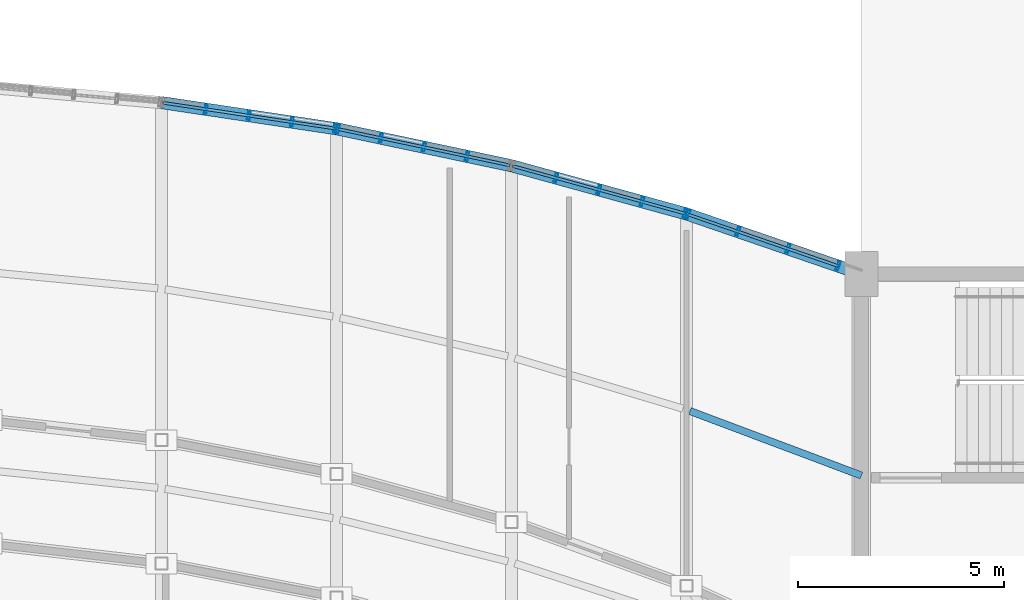
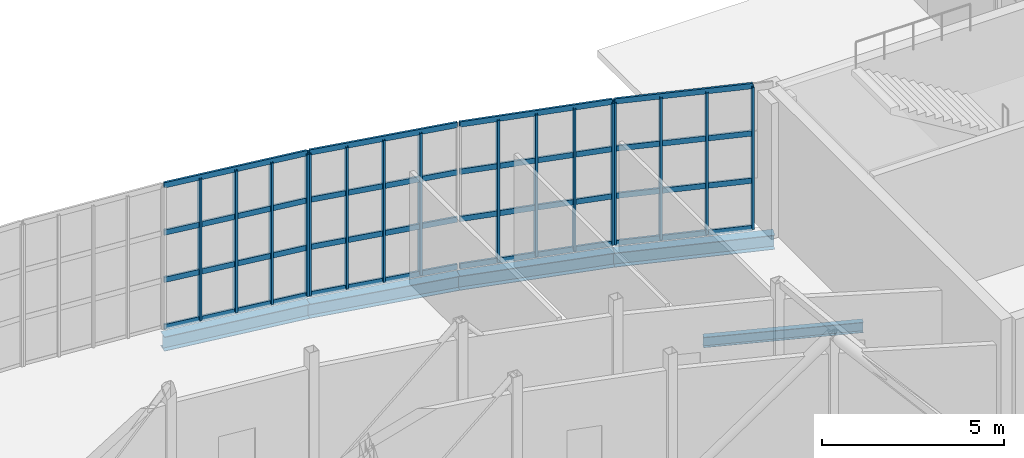
# One storey, part 47 of 86: 32 members, 5 beams, 4 elements without a shape of their own.
"""IFC4 building model written with IfcOpenShell, lengths in metres."""

from ifc_helpers import new_model, si_unit, direction, frame, origin, origin_2d, place, context, subcontext, project, spatial, hollow_rectangle, i_section, extrude, material, material_profile, profile_set, type_object, element, aggregate, save


model = new_model("IFC4")

# Units and contexts
model_context = context("Model", 3, precision=1e-05, world=origin(), true_north=direction((0.0, 1.0)))
body_context = subcontext(model_context, "Body", "Model", "MODEL_VIEW")
ifc_project = project(units=[si_unit("LENGTHUNIT", "METRE"), si_unit("AREAUNIT", "SQUARE_METRE"), si_unit("VOLUMEUNIT", "CUBIC_METRE"), si_unit("PLANEANGLEUNIT", "RADIAN"), si_unit("MASSUNIT", "GRAM", prefix="KILO")], contexts=[model_context])

# Site, building, storey
site_placement = place(None, origin())
site = spatial("IfcSite", under=ifc_project, at=site_placement, CompositionType="ELEMENT")
building_placement = place(site_placement, origin())
building = spatial("IfcBuilding", under=site, at=building_placement, Name="Solvikara Media Centre", CompositionType="ELEMENT")
storey_placement = place(building_placement, frame((0.0, 0.0, 15.0)))
storey = spatial("IfcBuildingStorey", under=building, at=storey_placement, Name="L03", CompositionType="ELEMENT", Elevation=15.0)

# Beams
ifc_material_1 = material(Name="Steel S355JR", Category="steel")
ifc_material_profile_1 = material_profile(ifc_material_1, i_section(OverallWidth=0.175048828125, OverallDepth=0.35009765625, WebThickness=0.007080078125, FlangeThickness=0.010986328125, at=origin_2d()), Name="WF 350x175x7x11")
ifc_profile_set_1 = profile_set([ifc_material_profile_1], Name="Steel S355JR")
beam_type_1 = type_object("IfcBeamType", Name="BM-22", PredefinedType="JOIST", material=ifc_profile_set_1)
beam_1_placement = place(storey_placement, frame((123.333984375, 33.472900390625, -0.39697265625), z_axis=(0.936058378207, -0.351844727955, 0.0), x_axis=(0.351844727955, 0.936058378207, 0.0)))
element("IfcBeam", 1, at=beam_1_placement, inside=storey, type_object=beam_type_1, Name="BJ-L03-11-72", PredefinedType="JOIST", context=body_context, shape_type="SweptSolid", body=[
    extrude(i_section(OverallWidth=0.175048828125, OverallDepth=0.35009765625, WebThickness=0.007080078125, FlangeThickness=0.010986328125, at=origin_2d()), origin(), (0.0, 0.0, 1.0), 4.45068359375),
])
ifc_material_profile_2 = material_profile(ifc_material_1, i_section(OverallWidth=0.300048828125, OverallDepth=0.48193359375, WebThickness=0.010986328125, FlangeThickness=0.014892578125, at=origin_2d()), Name="WF 482x300x11x15")
ifc_profile_set_2 = profile_set([ifc_material_profile_2], Name="Steel S355JR")
beam_type_2 = type_object("IfcBeamType", Name="BM-32", PredefinedType="SPANDREL", material=ifc_profile_set_2)
beam_2_placement = place(storey_placement, frame((110.5, 40.964111328125, -0.462890625), z_axis=(0.989021203369, -0.147773675894, 0.0), x_axis=(0.147773675894, 0.989021203369, 0.0)))
element("IfcBeam", 2, at=beam_2_placement, inside=storey, type_object=beam_type_2, Name="B-L03-NARC-08", PredefinedType="SPANDREL", context=body_context, shape_type="SweptSolid", body=[
    extrude(i_section(OverallWidth=0.300048828125, OverallDepth=0.48193359375, WebThickness=0.010986328125, FlangeThickness=0.014892578125, at=origin_2d()), origin(), (0.0, 0.0, 1.0), 4.297119140625),
])
beam_3_placement = place(storey_placement, frame((114.75, 40.3291015625, -0.462890625), z_axis=(0.978389077526, -0.206772369957, 0.0), x_axis=(0.206772369957, 0.978389077526, 0.0)))
element("IfcBeam", 3, at=beam_3_placement, inside=storey, type_object=beam_type_2, Name="B-L03-NARC-09", PredefinedType="SPANDREL", context=body_context, shape_type="SweptSolid", body=[
    extrude(i_section(OverallWidth=0.300048828125, OverallDepth=0.48193359375, WebThickness=0.010986328125, FlangeThickness=0.014892578125, at=origin_2d()), origin(), (0.0, 0.0, 1.0), 4.343994140625),
])
beam_4_placement = place(storey_placement, frame((119.0, 39.430908203125, -0.462890625), z_axis=(0.964080686077, -0.265609545636, 0.0), x_axis=(0.265609545636, 0.964080686077, 0.0)))
element("IfcBeam", 4, at=beam_4_placement, inside=storey, type_object=beam_type_2, Name="B-L03-NARC-10", PredefinedType="SPANDREL", context=body_context, shape_type="SweptSolid", body=[
    extrude(i_section(OverallWidth=0.300048828125, OverallDepth=0.48193359375, WebThickness=0.010986328125, FlangeThickness=0.014892578125, at=origin_2d()), origin(), (0.0, 0.0, 1.0), 4.408447265625),
])
beam_5_placement = place(storey_placement, frame((123.25, 38.260009765625, -0.462890625), z_axis=(0.945753386984, -0.324885412119, 0.0), x_axis=(0.324885412119, 0.945753386984, 0.0)))
element("IfcBeam", 5, at=beam_5_placement, inside=storey, type_object=beam_type_2, Name="B-L03-NARC-11", PredefinedType="SPANDREL", context=body_context, shape_type="SweptSolid", body=[
    extrude(i_section(OverallWidth=0.300048828125, OverallDepth=0.48193359375, WebThickness=0.010986328125, FlangeThickness=0.014892578125, at=origin_2d()), origin(), (0.0, 0.0, 1.0), 4.49365234375),
])

# Curtain wall, members
ifc_material_2 = material(Name="Anodised aluminium EN AW-6063", Category="aluminium")
curtain_wall_type = type_object("IfcCurtainWallType", Name="CW-02", PredefinedType="NOTDEFINED", material=ifc_material_2)
curtain_wall_1_placement = place(storey_placement, origin())
curtain_wall_1 = element("IfcCurtainWall", 6, at=curtain_wall_1_placement, inside=storey, type_object=curtain_wall_type, Name="CW-L03-NARC-08", PredefinedType="NOTDEFINED")
ifc_material_profile_3 = material_profile(ifc_material_2, hollow_rectangle(XDim=0.06494140625, YDim=0.219970703125, WallThickness=0.00390625, at=origin_2d()), Name="ALU-M 65x220x4")
ifc_profile_set_3 = profile_set([ifc_material_profile_3], Name="Anodised aluminium EN AW-6063")
member_type_1 = type_object("IfcMemberType", Name="MF-01", PredefinedType="MULLION", material=ifc_profile_set_3)
member_1_placement = place(storey_placement, frame((111.580078125, 40.802978515625, 0.02001953125), z_axis=(0.0, 0.0, 1.0), x_axis=(0.989005541908, -0.147878457102, 0.0)))
member_1 = element("IfcMember", 7, at=member_1_placement, type_object=member_type_1, Name="CW-L03-NARC-08-M01", PredefinedType="MULLION", context=body_context, shape_type="SweptSolid", body=[
    extrude(hollow_rectangle(XDim=0.06494140625, YDim=0.219970703125, WallThickness=0.00390625, at=origin_2d()), origin(), (0.0, 0.0, 1.0), 4.760009765625),
])
member_2_placement = place(storey_placement, frame((112.625, 40.64697265625, 0.02001953125), z_axis=(0.0, 0.0, 1.0), x_axis=(0.989005541908, -0.147878457102, 0.0)))
member_2 = element("IfcMember", 8, at=member_2_placement, type_object=member_type_1, Name="CW-L03-NARC-08-M02", PredefinedType="MULLION", context=body_context, shape_type="SweptSolid", body=[
    extrude(hollow_rectangle(XDim=0.06494140625, YDim=0.219970703125, WallThickness=0.00390625, at=origin_2d()), origin(), (0.0, 0.0, 1.0), 4.760009765625),
])
member_3_placement = place(storey_placement, frame((113.669921875, 40.489990234375, 0.02001953125), z_axis=(0.0, 0.0, 1.0), x_axis=(0.989005541908, -0.147878457102, 0.0)))
member_3 = element("IfcMember", 9, at=member_3_placement, type_object=member_type_1, Name="CW-L03-NARC-08-M03", PredefinedType="MULLION", context=body_context, shape_type="SweptSolid", body=[
    extrude(hollow_rectangle(XDim=0.06494140625, YDim=0.219970703125, WallThickness=0.00390625, at=origin_2d()), origin(), (0.0, 0.0, 1.0), 4.760009765625),
])
member_4_placement = place(storey_placement, frame((114.715087890625, 40.333984375, 0.02001953125), z_axis=(0.0, 0.0, 1.0), x_axis=(0.989005541908, -0.147878457102, 0.0)))
member_4 = element("IfcMember", 10, at=member_4_placement, type_object=member_type_1, Name="CW-L03-NARC-08-M04", PredefinedType="MULLION", context=body_context, shape_type="SweptSolid", body=[
    extrude(hollow_rectangle(XDim=0.06494140625, YDim=0.219970703125, WallThickness=0.00390625, at=origin_2d()), origin(), (0.0, 0.0, 1.0), 4.760009765625),
])

curtain_wall_2_placement = place(storey_placement, origin())
curtain_wall_2 = element("IfcCurtainWall", 11, at=curtain_wall_2_placement, inside=storey, type_object=curtain_wall_type, Name="CW-L03-NARC-09", PredefinedType="NOTDEFINED")
member_5_placement = place(storey_placement, frame((114.783935546875, 40.322021484375, 0.02001953125), z_axis=(0.0, 0.0, 1.0), x_axis=(0.97837923005, -0.206818959981, 0.0)))
member_5 = element("IfcMember", 12, at=member_5_placement, type_object=member_type_1, Name="CW-L03-NARC-09-M00", PredefinedType="MULLION", context=body_context, shape_type="SweptSolid", body=[
    extrude(hollow_rectangle(XDim=0.06494140625, YDim=0.219970703125, WallThickness=0.00390625, at=origin_2d()), origin(), (0.0, 0.0, 1.0), 4.760009765625),
])
member_6_placement = place(storey_placement, frame((115.830078125, 40.10107421875, 0.02001953125), z_axis=(0.0, 0.0, 1.0), x_axis=(0.97837923005, -0.206818959981, 0.0)))
member_6 = element("IfcMember", 13, at=member_6_placement, type_object=member_type_1, Name="CW-L03-NARC-09-M01", PredefinedType="MULLION", context=body_context, shape_type="SweptSolid", body=[
    extrude(hollow_rectangle(XDim=0.06494140625, YDim=0.219970703125, WallThickness=0.00390625, at=origin_2d()), origin(), (0.0, 0.0, 1.0), 4.760009765625),
])
member_7_placement = place(storey_placement, frame((116.875, 39.8798828125, 0.02001953125), z_axis=(0.0, 0.0, 1.0), x_axis=(0.97837923005, -0.206818959981, 0.0)))
member_7 = element("IfcMember", 14, at=member_7_placement, type_object=member_type_1, Name="CW-L03-NARC-09-M02", PredefinedType="MULLION", context=body_context, shape_type="SweptSolid", body=[
    extrude(hollow_rectangle(XDim=0.06494140625, YDim=0.219970703125, WallThickness=0.00390625, at=origin_2d()), origin(), (0.0, 0.0, 1.0), 4.760009765625),
])
member_8_placement = place(storey_placement, frame((117.9208984375, 39.658935546875, 0.02001953125), z_axis=(0.0, 0.0, 1.0), x_axis=(0.97837923005, -0.206818959981, 0.0)))
member_8 = element("IfcMember", 15, at=member_8_placement, type_object=member_type_1, Name="CW-L03-NARC-09-M03", PredefinedType="MULLION", context=body_context, shape_type="SweptSolid", body=[
    extrude(hollow_rectangle(XDim=0.06494140625, YDim=0.219970703125, WallThickness=0.00390625, at=origin_2d()), origin(), (0.0, 0.0, 1.0), 4.760009765625),
])

curtain_wall_3_placement = place(storey_placement, origin())
curtain_wall_3 = element("IfcCurtainWall", 16, at=curtain_wall_3_placement, inside=storey, type_object=curtain_wall_type, Name="CW-L03-NARC-10", PredefinedType="NOTDEFINED")
member_9_placement = place(storey_placement, frame((120.080078125, 39.134033203125, 0.02001953125), z_axis=(0.0, 0.0, 1.0), x_axis=(0.964030487854, -0.265791682504, 0.0)))
member_9 = element("IfcMember", 17, at=member_9_placement, type_object=member_type_1, Name="CW-L03-NARC-10-M01", PredefinedType="MULLION", context=body_context, shape_type="SweptSolid", body=[
    extrude(hollow_rectangle(XDim=0.06494140625, YDim=0.219970703125, WallThickness=0.00390625, at=origin_2d()), origin(), (0.0, 0.0, 1.0), 4.760009765625),
])
member_10_placement = place(storey_placement, frame((121.125, 38.845947265625, 0.02001953125), z_axis=(0.0, 0.0, 1.0), x_axis=(0.964030487854, -0.265791682504, 0.0)))
member_10 = element("IfcMember", 18, at=member_10_placement, type_object=member_type_1, Name="CW-L03-NARC-10-M02", PredefinedType="MULLION", context=body_context, shape_type="SweptSolid", body=[
    extrude(hollow_rectangle(XDim=0.06494140625, YDim=0.219970703125, WallThickness=0.00390625, at=origin_2d()), origin(), (0.0, 0.0, 1.0), 4.760009765625),
])
member_11_placement = place(storey_placement, frame((122.1708984375, 38.556884765625, 0.02001953125), z_axis=(0.0, 0.0, 1.0), x_axis=(0.964030487854, -0.265791682504, 0.0)))
member_11 = element("IfcMember", 19, at=member_11_placement, type_object=member_type_1, Name="CW-L03-NARC-10-M03", PredefinedType="MULLION", context=body_context, shape_type="SweptSolid", body=[
    extrude(hollow_rectangle(XDim=0.06494140625, YDim=0.219970703125, WallThickness=0.00390625, at=origin_2d()), origin(), (0.0, 0.0, 1.0), 4.760009765625),
])
member_12_placement = place(storey_placement, frame((123.216064453125, 38.26904296875, 0.02001953125), z_axis=(0.0, 0.0, 1.0), x_axis=(0.964030487854, -0.265791682504, 0.0)))
member_12 = element("IfcMember", 20, at=member_12_placement, type_object=member_type_1, Name="CW-L03-NARC-10-M04", PredefinedType="MULLION", context=body_context, shape_type="SweptSolid", body=[
    extrude(hollow_rectangle(XDim=0.06494140625, YDim=0.219970703125, WallThickness=0.00390625, at=origin_2d()), origin(), (0.0, 0.0, 1.0), 4.760009765625),
])

curtain_wall_4_placement = place(storey_placement, origin())
curtain_wall_4 = element("IfcCurtainWall", 21, at=curtain_wall_4_placement, inside=storey, type_object=curtain_wall_type, Name="CW-L03-NARC-11", PredefinedType="NOTDEFINED")
member_13_placement = place(storey_placement, frame((123.282958984375, 38.2490234375, 0.02001953125), z_axis=(0.0, 0.0, 1.0), x_axis=(0.945717277442, -0.324990509319, 0.0)))
member_13 = element("IfcMember", 22, at=member_13_placement, type_object=member_type_1, Name="CW-L03-NARC-11-M00", PredefinedType="MULLION", context=body_context, shape_type="SweptSolid", body=[
    extrude(hollow_rectangle(XDim=0.06494140625, YDim=0.219970703125, WallThickness=0.00390625, at=origin_2d()), origin(), (0.0, 0.0, 1.0), 4.760009765625),
])
member_14_placement = place(storey_placement, frame((124.5, 37.8310546875, 0.02001953125), z_axis=(0.0, 0.0, 1.0), x_axis=(0.945717277442, -0.324990509319, 0.0)))
member_14 = element("IfcMember", 23, at=member_14_placement, type_object=member_type_1, Name="CW-L03-NARC-11-M01", PredefinedType="MULLION", context=body_context, shape_type="SweptSolid", body=[
    extrude(hollow_rectangle(XDim=0.06494140625, YDim=0.219970703125, WallThickness=0.00390625, at=origin_2d()), origin(), (0.0, 0.0, 1.0), 4.760009765625),
])
member_15_placement = place(storey_placement, frame((125.717041015625, 37.412109375, 0.02001953125), z_axis=(0.0, 0.0, 1.0), x_axis=(0.945717277442, -0.324990509319, 0.0)))
member_15 = element("IfcMember", 24, at=member_15_placement, type_object=member_type_1, Name="CW-L03-NARC-11-M02", PredefinedType="MULLION", context=body_context, shape_type="SweptSolid", body=[
    extrude(hollow_rectangle(XDim=0.06494140625, YDim=0.219970703125, WallThickness=0.00390625, at=origin_2d()), origin(), (0.0, 0.0, 1.0), 4.760009765625),
])
member_16_placement = place(storey_placement, frame((126.93505859375, 36.993896484375, 0.02001953125), z_axis=(0.0, 0.0, 1.0), x_axis=(0.945717277442, -0.324990509319, 0.0)))
member_16 = element("IfcMember", 25, at=member_16_placement, type_object=member_type_1, Name="CW-L03-NARC-11-M03", PredefinedType="MULLION", context=body_context, shape_type="SweptSolid", body=[
    extrude(hollow_rectangle(XDim=0.06494140625, YDim=0.219970703125, WallThickness=0.00390625, at=origin_2d()), origin(), (0.0, 0.0, 1.0), 4.760009765625),
])

# Member
ifc_material_profile_4 = material_profile(ifc_material_2, hollow_rectangle(XDim=0.06494140625, YDim=0.179931640625, WallThickness=0.00341796875, at=origin_2d()), Name="ALU-T 65x180x3.5")
ifc_profile_set_4 = profile_set([ifc_material_profile_4], Name="Anodised aluminium EN AW-6063")
member_type_2 = type_object("IfcMemberType", Name="MF-07", PredefinedType="USERDEFINED", material=ifc_profile_set_4)
member_17_placement = place(storey_placement, frame((110.534912109375, 40.958984375, 0.02001953125), z_axis=(0.989006573352, -0.147871558684, 0.0), x_axis=(0.147871558684, 0.989006573352, 0.0)))
member_17 = element("IfcMember", 26, at=member_17_placement, type_object=member_type_2, Name="CW-L03-NARC-08-T00", ObjectType="TRANSOM", PredefinedType="USERDEFINED", context=body_context, shape_type="SweptSolid", body=[
    extrude(hollow_rectangle(XDim=0.06494140625, YDim=0.179931640625, WallThickness=0.00341796875, at=origin_2d()), origin(), (0.0, 0.0, 1.0), 4.2265625),
])

member_18_placement = place(storey_placement, frame((110.534912109375, 40.958984375, 1.60693359375), z_axis=(0.989006573352, -0.147871558684, 0.0), x_axis=(0.147871558684, 0.989006573352, 0.0)))
member_18 = element("IfcMember", 27, at=member_18_placement, type_object=member_type_2, Name="CW-L03-NARC-08-T01", ObjectType="TRANSOM", PredefinedType="USERDEFINED", context=body_context, shape_type="SweptSolid", body=[
    extrude(hollow_rectangle(XDim=0.06494140625, YDim=0.179931640625, WallThickness=0.00341796875, at=origin_2d()), origin(), (0.0, 0.0, 1.0), 4.2265625),
])

member_19_placement = place(storey_placement, frame((110.534912109375, 40.958984375, 3.193115234375), z_axis=(0.989006573352, -0.147871558684, 0.0), x_axis=(0.147871558684, 0.989006573352, 0.0)))
member_19 = element("IfcMember", 28, at=member_19_placement, type_object=member_type_2, Name="CW-L03-NARC-08-T02", ObjectType="TRANSOM", PredefinedType="USERDEFINED", context=body_context, shape_type="SweptSolid", body=[
    extrude(hollow_rectangle(XDim=0.06494140625, YDim=0.179931640625, WallThickness=0.00341796875, at=origin_2d()), origin(), (0.0, 0.0, 1.0), 4.2265625),
])

member_20_placement = place(storey_placement, frame((110.534912109375, 40.958984375, 4.780029296875), z_axis=(0.989006573352, -0.147871558684, 0.0), x_axis=(0.147871558684, 0.989006573352, 0.0)))
member_20 = element("IfcMember", 29, at=member_20_placement, type_object=member_type_2, Name="CW-L03-NARC-08-T03", ObjectType="TRANSOM", PredefinedType="USERDEFINED", context=body_context, shape_type="SweptSolid", body=[
    extrude(hollow_rectangle(XDim=0.06494140625, YDim=0.179931640625, WallThickness=0.00341796875, at=origin_2d()), origin(), (0.0, 0.0, 1.0), 4.2265625),
])

aggregate(curtain_wall_1, [member_1, member_2, member_3, member_4, member_17, member_18, member_19, member_20])

member_21_placement = place(storey_placement, frame((114.783935546875, 40.322021484375, 0.02001953125), z_axis=(0.978380382842, -0.206813506496, 0.0), x_axis=(0.206813506496, 0.978380382842, 0.0)))
member_21 = element("IfcMember", 30, at=member_21_placement, type_object=member_type_2, Name="CW-L03-NARC-09-T00", ObjectType="TRANSOM", PredefinedType="USERDEFINED", context=body_context, shape_type="SweptSolid", body=[
    extrude(hollow_rectangle(XDim=0.06494140625, YDim=0.179931640625, WallThickness=0.00341796875, at=origin_2d()), origin(), (0.0, 0.0, 1.0), 4.274658203125),
])

member_22_placement = place(storey_placement, frame((114.783935546875, 40.322021484375, 1.60693359375), z_axis=(0.978380382842, -0.206813506496, 0.0), x_axis=(0.206813506496, 0.978380382842, 0.0)))
member_22 = element("IfcMember", 31, at=member_22_placement, type_object=member_type_2, Name="CW-L03-NARC-09-T01", ObjectType="TRANSOM", PredefinedType="USERDEFINED", context=body_context, shape_type="SweptSolid", body=[
    extrude(hollow_rectangle(XDim=0.06494140625, YDim=0.179931640625, WallThickness=0.00341796875, at=origin_2d()), origin(), (0.0, 0.0, 1.0), 4.274658203125),
])

member_23_placement = place(storey_placement, frame((114.783935546875, 40.322021484375, 3.193115234375), z_axis=(0.978380382842, -0.206813506496, 0.0), x_axis=(0.206813506496, 0.978380382842, 0.0)))
member_23 = element("IfcMember", 32, at=member_23_placement, type_object=member_type_2, Name="CW-L03-NARC-09-T02", ObjectType="TRANSOM", PredefinedType="USERDEFINED", context=body_context, shape_type="SweptSolid", body=[
    extrude(hollow_rectangle(XDim=0.06494140625, YDim=0.179931640625, WallThickness=0.00341796875, at=origin_2d()), origin(), (0.0, 0.0, 1.0), 4.274658203125),
])

member_24_placement = place(storey_placement, frame((114.783935546875, 40.322021484375, 4.780029296875), z_axis=(0.978380382842, -0.206813506496, 0.0), x_axis=(0.206813506496, 0.978380382842, 0.0)))
member_24 = element("IfcMember", 33, at=member_24_placement, type_object=member_type_2, Name="CW-L03-NARC-09-T03", ObjectType="TRANSOM", PredefinedType="USERDEFINED", context=body_context, shape_type="SweptSolid", body=[
    extrude(hollow_rectangle(XDim=0.06494140625, YDim=0.179931640625, WallThickness=0.00341796875, at=origin_2d()), origin(), (0.0, 0.0, 1.0), 4.274658203125),
])

aggregate(curtain_wall_2, [member_5, member_6, member_7, member_8, member_21, member_22, member_23, member_24])

member_25_placement = place(storey_placement, frame((119.033935546875, 39.422119140625, 0.02001953125), z_axis=(0.96402892513, -0.265797350461, 0.0), x_axis=(0.265797350461, 0.96402892513, 0.0)))
member_25 = element("IfcMember", 34, at=member_25_placement, type_object=member_type_2, Name="CW-L03-NARC-10-T00", ObjectType="TRANSOM", PredefinedType="USERDEFINED", context=body_context, shape_type="SweptSolid", body=[
    extrude(hollow_rectangle(XDim=0.06494140625, YDim=0.179931640625, WallThickness=0.00341796875, at=origin_2d()), origin(), (0.0, 0.0, 1.0), 4.338134765625),
])

member_26_placement = place(storey_placement, frame((119.033935546875, 39.422119140625, 1.60693359375), z_axis=(0.96402892513, -0.265797350461, 0.0), x_axis=(0.265797350461, 0.96402892513, 0.0)))
member_26 = element("IfcMember", 35, at=member_26_placement, type_object=member_type_2, Name="CW-L03-NARC-10-T01", ObjectType="TRANSOM", PredefinedType="USERDEFINED", context=body_context, shape_type="SweptSolid", body=[
    extrude(hollow_rectangle(XDim=0.06494140625, YDim=0.179931640625, WallThickness=0.00341796875, at=origin_2d()), origin(), (0.0, 0.0, 1.0), 4.338134765625),
])

member_27_placement = place(storey_placement, frame((119.033935546875, 39.422119140625, 3.193115234375), z_axis=(0.96402892513, -0.265797350461, 0.0), x_axis=(0.265797350461, 0.96402892513, 0.0)))
member_27 = element("IfcMember", 36, at=member_27_placement, type_object=member_type_2, Name="CW-L03-NARC-10-T02", ObjectType="TRANSOM", PredefinedType="USERDEFINED", context=body_context, shape_type="SweptSolid", body=[
    extrude(hollow_rectangle(XDim=0.06494140625, YDim=0.179931640625, WallThickness=0.00341796875, at=origin_2d()), origin(), (0.0, 0.0, 1.0), 4.338134765625),
])

member_28_placement = place(storey_placement, frame((119.033935546875, 39.422119140625, 4.780029296875), z_axis=(0.96402892513, -0.265797350461, 0.0), x_axis=(0.265797350461, 0.96402892513, 0.0)))
member_28 = element("IfcMember", 37, at=member_28_placement, type_object=member_type_2, Name="CW-L03-NARC-10-T03", ObjectType="TRANSOM", PredefinedType="USERDEFINED", context=body_context, shape_type="SweptSolid", body=[
    extrude(hollow_rectangle(XDim=0.06494140625, YDim=0.179931640625, WallThickness=0.00341796875, at=origin_2d()), origin(), (0.0, 0.0, 1.0), 4.338134765625),
])

aggregate(curtain_wall_3, [member_9, member_10, member_11, member_12, member_25, member_26, member_27, member_28])

member_29_placement = place(storey_placement, frame((123.282958984375, 38.2490234375, 0.02001953125), z_axis=(0.945709069159, -0.325014394314, 0.0), x_axis=(0.325014394314, 0.945709069159, 0.0)))
member_29 = element("IfcMember", 38, at=member_29_placement, type_object=member_type_2, Name="CW-L03-NARC-11-T00", ObjectType="TRANSOM", PredefinedType="USERDEFINED", context=body_context, shape_type="SweptSolid", body=[
    extrude(hollow_rectangle(XDim=0.06494140625, YDim=0.179931640625, WallThickness=0.00341796875, at=origin_2d()), origin(), (0.0, 0.0, 1.0), 3.86181640625),
])

member_30_placement = place(storey_placement, frame((123.282958984375, 38.2490234375, 1.60693359375), z_axis=(0.945709069159, -0.325014394314, 0.0), x_axis=(0.325014394314, 0.945709069159, 0.0)))
member_30 = element("IfcMember", 39, at=member_30_placement, type_object=member_type_2, Name="CW-L03-NARC-11-T01", ObjectType="TRANSOM", PredefinedType="USERDEFINED", context=body_context, shape_type="SweptSolid", body=[
    extrude(hollow_rectangle(XDim=0.06494140625, YDim=0.179931640625, WallThickness=0.00341796875, at=origin_2d()), origin(), (0.0, 0.0, 1.0), 3.86181640625),
])

member_31_placement = place(storey_placement, frame((123.282958984375, 38.2490234375, 3.193115234375), z_axis=(0.945709069159, -0.325014394314, 0.0), x_axis=(0.325014394314, 0.945709069159, 0.0)))
member_31 = element("IfcMember", 40, at=member_31_placement, type_object=member_type_2, Name="CW-L03-NARC-11-T02", ObjectType="TRANSOM", PredefinedType="USERDEFINED", context=body_context, shape_type="SweptSolid", body=[
    extrude(hollow_rectangle(XDim=0.06494140625, YDim=0.179931640625, WallThickness=0.00341796875, at=origin_2d()), origin(), (0.0, 0.0, 1.0), 3.86181640625),
])

member_32_placement = place(storey_placement, frame((123.282958984375, 38.2490234375, 4.780029296875), z_axis=(0.945709069159, -0.325014394314, 0.0), x_axis=(0.325014394314, 0.945709069159, 0.0)))
member_32 = element("IfcMember", 41, at=member_32_placement, type_object=member_type_2, Name="CW-L03-NARC-11-T03", ObjectType="TRANSOM", PredefinedType="USERDEFINED", context=body_context, shape_type="SweptSolid", body=[
    extrude(hollow_rectangle(XDim=0.06494140625, YDim=0.179931640625, WallThickness=0.00341796875, at=origin_2d()), origin(), (0.0, 0.0, 1.0), 3.86181640625),
])

aggregate(curtain_wall_4, [member_13, member_14, member_15, member_16, member_29, member_30, member_31, member_32])

save(model, "model.ifc")
